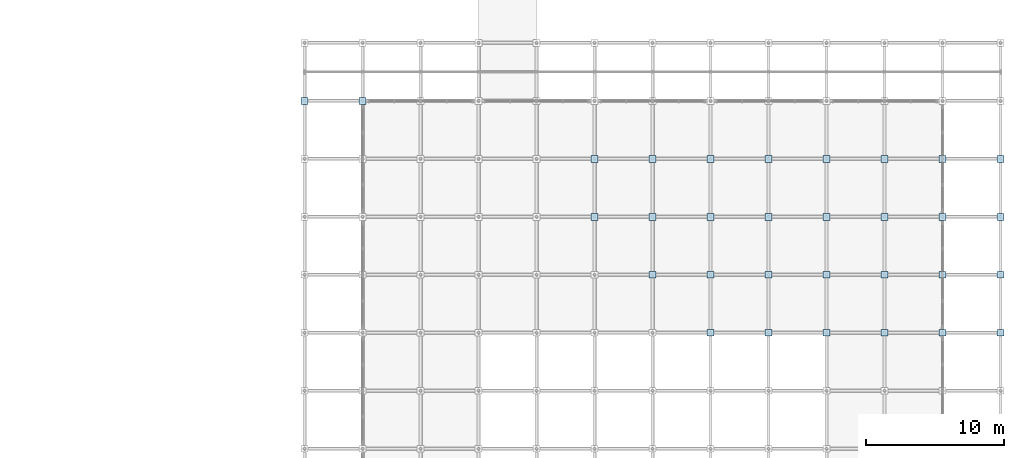
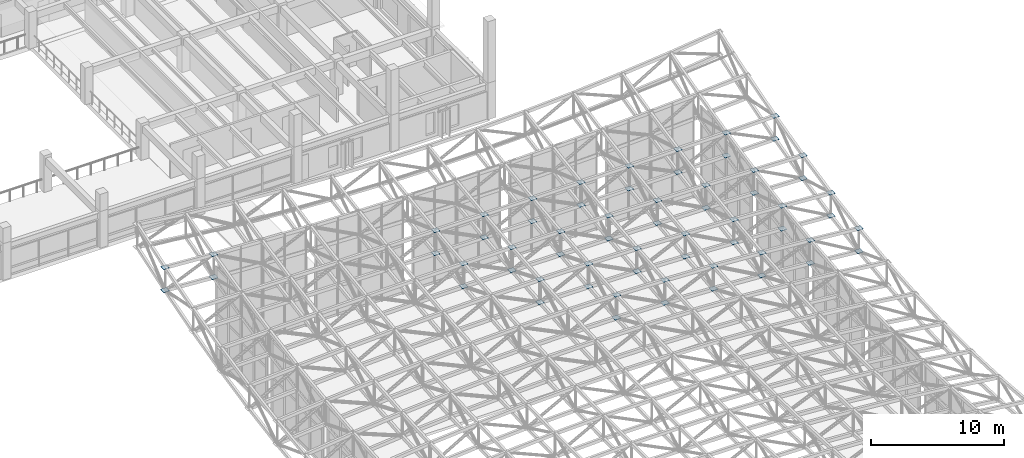
# One storey, part 78 of 123: 62 plates.
"""IFC4 building model written with IfcOpenShell, lengths in metres."""

from ifc_helpers import new_model, si_unit, direction, frame, origin, origin_2d, place, context, subcontext, project, spatial, rectangle, extrude, material, layer, layer_set, type_object, element, save


model = new_model("IFC4")

# Units and contexts
model_context = context("Model", 3, precision=1e-05, world=origin(), true_north=direction((0.0, 1.0)))
body_context = subcontext(model_context, "Body", "Model", "MODEL_VIEW")
ifc_project = project(units=[si_unit("LENGTHUNIT", "METRE"), si_unit("AREAUNIT", "SQUARE_METRE"), si_unit("VOLUMEUNIT", "CUBIC_METRE"), si_unit("PLANEANGLEUNIT", "RADIAN"), si_unit("MASSUNIT", "GRAM", prefix="KILO")], contexts=[model_context])

# Site, building, storey
site_placement = place(None, origin())
site = spatial("IfcSite", under=ifc_project, at=site_placement, CompositionType="ELEMENT")
building_placement = place(site_placement, origin())
building = spatial("IfcBuilding", under=site, at=building_placement, Name="Cumbredor Promenade Congress Hotel", CompositionType="ELEMENT")
storey_placement = place(building_placement, frame((0.0, 0.0, 11.760009765625)))
storey = spatial("IfcBuildingStorey", under=building, at=storey_placement, Name="L03", CompositionType="ELEMENT", Elevation=11.760009765625)

# Plates
ifc_material = material(Name="Steel ASTM A572 Grade 50", Category="steel")
ifc_layer = layer(ifc_material, 0.031982421875, Name="Steel ASTM A572 Grade 50", Category="steel")
ifc_layer_set = layer_set([ifc_layer], Name="Steel ASTM A572 Grade 50")
plate_type = type_object("IfcPlateType", Name="Space Frame Node Assembly ND-02", PredefinedType="USERDEFINED", material=ifc_layer_set)
for number, where, z_axis, x_axis, name in (
    (1, (138.60009765625, 67.199951171875, 9.58447265625), (0.0, 0.0, 1.0), (1.0, 0.0, 0.0), "Grand Ballroom Pavilion Space Frame Top Node 1.17"),
    (2, (138.60009765625, 67.199951171875, 7.484375), (0.0, 0.0, 1.0), (1.0, 0.0, 0.0), "Grand Ballroom Pavilion Space Frame Bottom Node 1.17"),
    (3, (142.800048828125, 67.199951171875, 9.30859375), (0.0, 0.0, 1.0), (1.0, 0.0, 0.0), "Grand Ballroom Pavilion Space Frame Top Node 2.17"),
    (4, (142.800048828125, 67.199951171875, 7.20849609375), (0.0, 0.0, 1.0), (1.0, 0.0, 0.0), "Grand Ballroom Pavilion Space Frame Bottom Node 2.17"),
    (5, (159.60009765625, 58.800048828125, 7.67529296875), (0.0, 0.0, 1.0), (1.0, 0.0, 0.0), "Grand Ballroom Pavilion Space Frame Top Node 6.15"),
    (6, (159.60009765625, 58.800048828125, 5.5751953125), (0.0, 0.0, 1.0), (1.0, 0.0, 0.0), "Grand Ballroom Pavilion Space Frame Bottom Node 6.15"),
    (7, (159.60009765625, 63.0, 8.15625), (0.0, 0.0, 1.0), (1.0, 0.0, 0.0), "Grand Ballroom Pavilion Space Frame Top Node 6.16"),
    (8, (159.60009765625, 63.0, 6.056640625), (0.0, 0.0, 1.0), (1.0, 0.0, 0.0), "Grand Ballroom Pavilion Space Frame Bottom Node 6.16"),
    (9, (163.800048828125, 54.60009765625, 7.2998046875), (0.0, 0.0, 1.0), (1.0, 0.0, 0.0), "Grand Ballroom Pavilion Space Frame Top Node 7.14"),
    (10, (163.800048828125, 54.60009765625, 5.19970703125), (0.0, 0.0, 1.0), (1.0, 0.0, 0.0), "Grand Ballroom Pavilion Space Frame Bottom Node 7.14"),
    (11, (163.800048828125, 58.800048828125, 7.6865234375), (0.0, 0.0, 1.0), (1.0, 0.0, 0.0), "Grand Ballroom Pavilion Space Frame Top Node 7.15"),
    (12, (163.800048828125, 58.800048828125, 5.5869140625), (0.0, 0.0, 1.0), (1.0, 0.0, 0.0), "Grand Ballroom Pavilion Space Frame Bottom Node 7.15"),
    (13, (163.800048828125, 63.0, 8.1513671875), (0.0, 0.0, 1.0), (1.0, 0.0, 0.0), "Grand Ballroom Pavilion Space Frame Top Node 7.16"),
    (14, (163.800048828125, 63.0, 6.05126953125), (0.0, 0.0, 1.0), (1.0, 0.0, 0.0), "Grand Ballroom Pavilion Space Frame Bottom Node 7.16"),
    (15, (168.0, 50.39990234375, 6.9541015625), (0.0, 0.0, 1.0), (1.0, 0.0, 0.0), "Grand Ballroom Pavilion Space Frame Top Node 8.13"),
    (16, (168.0, 50.39990234375, 4.85400390625), (0.0, 0.0, 1.0), (1.0, 0.0, 0.0), "Grand Ballroom Pavilion Space Frame Bottom Node 8.13"),
    (17, (168.0, 54.60009765625, 7.2744140625), (0.0, 0.0, 1.0), (1.0, 0.0, 0.0), "Grand Ballroom Pavilion Space Frame Top Node 8.14"),
    (18, (168.0, 54.60009765625, 5.1748046875), (0.0, 0.0, 1.0), (1.0, 0.0, 0.0), "Grand Ballroom Pavilion Space Frame Bottom Node 8.14"),
    (19, (168.0, 58.800048828125, 7.67529296875), (0.0, 0.0, 1.0), (1.0, 0.0, 0.0), "Grand Ballroom Pavilion Space Frame Top Node 8.15"),
    (20, (168.0, 58.800048828125, 5.5751953125), (0.0, 0.0, 1.0), (1.0, 0.0, 0.0), "Grand Ballroom Pavilion Space Frame Bottom Node 8.15"),
    (21, (168.0, 63.0, 8.15625), (0.0, 0.0, 1.0), (1.0, 0.0, 0.0), "Grand Ballroom Pavilion Space Frame Top Node 8.16"),
    (22, (168.0, 63.0, 6.056640625), (0.0, 0.0, 1.0), (1.0, 0.0, 0.0), "Grand Ballroom Pavilion Space Frame Bottom Node 8.16"),
    (23, (172.199951171875, 50.39990234375, 6.84619140625), (0.0, 0.0, 1.0), (1.0, 0.0, 0.0), "Grand Ballroom Pavilion Space Frame Top Node 9.13"),
    (24, (172.199951171875, 50.39990234375, 4.74609375), (0.0, 0.0, 1.0), (1.0, 0.0, 0.0), "Grand Ballroom Pavilion Space Frame Bottom Node 9.13"),
    (25, (172.199951171875, 54.60009765625, 7.19970703125), (0.0, 0.0, 1.0), (1.0, 0.0, 0.0), "Grand Ballroom Pavilion Space Frame Top Node 9.14"),
    (26, (172.199951171875, 54.60009765625, 5.099609375), (0.0, 0.0, 1.0), (1.0, 0.0, 0.0), "Grand Ballroom Pavilion Space Frame Bottom Node 9.14"),
    (27, (172.199951171875, 58.800048828125, 7.64208984375), (0.0, 0.0, 1.0), (1.0, 0.0, 0.0), "Grand Ballroom Pavilion Space Frame Top Node 9.15"),
    (28, (172.199951171875, 58.800048828125, 5.5419921875), (0.0, 0.0, 1.0), (1.0, 0.0, 0.0), "Grand Ballroom Pavilion Space Frame Bottom Node 9.15"),
    (29, (172.199951171875, 63.0, 8.17236328125), (0.0, 0.0, 1.0), (1.0, 0.0, 0.0), "Grand Ballroom Pavilion Space Frame Top Node 9.16"),
    (30, (172.199951171875, 63.0, 6.07275390625), (0.0, 0.0, 1.0), (1.0, 0.0, 0.0), "Grand Ballroom Pavilion Space Frame Bottom Node 9.16"),
    (31, (176.39990234375, 50.39990234375, 6.666015625), (0.0, 0.0, 1.0), (1.0, 0.0, 0.0), "Grand Ballroom Pavilion Space Frame Top Node 10.13"),
    (32, (176.39990234375, 50.39990234375, 4.56640625), (0.0, 0.0, 1.0), (1.0, 0.0, 0.0), "Grand Ballroom Pavilion Space Frame Bottom Node 10.13"),
    (33, (176.39990234375, 54.60009765625, 7.0751953125), (0.0, 0.0, 1.0), (1.0, 0.0, 0.0), "Grand Ballroom Pavilion Space Frame Top Node 10.14"),
    (34, (176.39990234375, 54.60009765625, 4.97509765625), (0.0, 0.0, 1.0), (1.0, 0.0, 0.0), "Grand Ballroom Pavilion Space Frame Bottom Node 10.14"),
    (35, (176.39990234375, 58.800048828125, 7.58642578125), (0.0, 0.0, 1.0), (1.0, 0.0, 0.0), "Grand Ballroom Pavilion Space Frame Top Node 10.15"),
    (36, (176.39990234375, 58.800048828125, 5.486328125), (0.0, 0.0, 1.0), (1.0, 0.0, 0.0), "Grand Ballroom Pavilion Space Frame Bottom Node 10.15"),
    (37, (176.39990234375, 63.0, 8.19970703125), (0.0, 0.0, 1.0), (1.0, 0.0, 0.0), "Grand Ballroom Pavilion Space Frame Top Node 10.16"),
    (38, (176.39990234375, 63.0, 6.099609375), (0.0, 0.0, 1.0), (1.0, 0.0, 0.0), "Grand Ballroom Pavilion Space Frame Bottom Node 10.16"),
    (39, (180.60009765625, 50.39990234375, 6.41455078125), (0.0, 0.0, 1.0), (1.0, 0.0, 0.0), "Grand Ballroom Pavilion Space Frame Top Node 11.13"),
    (40, (180.60009765625, 50.39990234375, 4.314453125), (0.0, 0.0, 1.0), (1.0, 0.0, 0.0), "Grand Ballroom Pavilion Space Frame Bottom Node 11.13"),
    (41, (180.60009765625, 54.60009765625, 6.90087890625), (0.0, 0.0, 1.0), (1.0, 0.0, 0.0), "Grand Ballroom Pavilion Space Frame Top Node 11.14"),
    (42, (180.60009765625, 54.60009765625, 4.80078125), (0.0, 0.0, 1.0), (1.0, 0.0, 0.0), "Grand Ballroom Pavilion Space Frame Bottom Node 11.14"),
    (43, (180.60009765625, 58.800048828125, 7.50830078125), (0.0, 0.0, 1.0), (1.0, 0.0, 0.0), "Grand Ballroom Pavilion Space Frame Top Node 11.15"),
    (44, (180.60009765625, 58.800048828125, 5.408203125), (0.0, 0.0, 1.0), (1.0, 0.0, 0.0), "Grand Ballroom Pavilion Space Frame Bottom Node 11.15"),
    (45, (180.60009765625, 63.0, 8.2373046875), (0.0, 0.0, 1.0), (1.0, 0.0, 0.0), "Grand Ballroom Pavilion Space Frame Top Node 11.16"),
    (46, (180.60009765625, 63.0, 6.13720703125), (0.0, 0.0, 1.0), (1.0, 0.0, 0.0), "Grand Ballroom Pavilion Space Frame Bottom Node 11.16"),
    (47, (184.800048828125, 50.39990234375, 6.0908203125), (0.0, 0.0, 1.0), (1.0, 0.0, 0.0), "Grand Ballroom Pavilion Space Frame Top Node 12.13"),
    (48, (184.800048828125, 50.39990234375, 3.99072265625), (0.0, 0.0, 1.0), (1.0, 0.0, 0.0), "Grand Ballroom Pavilion Space Frame Bottom Node 12.13"),
    (49, (184.800048828125, 54.60009765625, 6.67578125), (0.0, 0.0, 1.0), (1.0, 0.0, 0.0), "Grand Ballroom Pavilion Space Frame Top Node 12.14"),
    (50, (184.800048828125, 54.60009765625, 4.576171875), (0.0, 0.0, 1.0), (1.0, 0.0, 0.0), "Grand Ballroom Pavilion Space Frame Bottom Node 12.14"),
    (51, (184.800048828125, 58.800048828125, 7.40771484375), (0.0, 0.0, 1.0), (1.0, 0.0, 0.0), "Grand Ballroom Pavilion Space Frame Top Node 12.15"),
    (52, (184.800048828125, 58.800048828125, 5.3076171875), (0.0, 0.0, 1.0), (1.0, 0.0, 0.0), "Grand Ballroom Pavilion Space Frame Bottom Node 12.15"),
    (53, (184.800048828125, 63.0, 8.28515625), (0.0, 0.0, 1.0), (1.0, 0.0, 0.0), "Grand Ballroom Pavilion Space Frame Top Node 12.16"),
    (54, (184.800048828125, 63.0, 6.18505859375), (0.0, 0.0, 1.0), (1.0, 0.0, 0.0), "Grand Ballroom Pavilion Space Frame Bottom Node 12.16"),
    (55, (189.0, 50.39990234375, 5.6962890625), (0.0, 0.0, 1.0), (1.0, 0.0, 0.0), "Grand Ballroom Pavilion Space Frame Top Node 13.13"),
    (56, (189.0, 50.39990234375, 3.5966796875), (0.0, 0.0, 1.0), (1.0, 0.0, 0.0), "Grand Ballroom Pavilion Space Frame Bottom Node 13.13"),
    (57, (189.0, 54.60009765625, 6.40380859375), (0.0, 0.0, 1.0), (1.0, 0.0, 0.0), "Grand Ballroom Pavilion Space Frame Top Node 13.14"),
    (58, (189.0, 54.60009765625, 4.3037109375), (0.0, 0.0, 1.0), (1.0, 0.0, 0.0), "Grand Ballroom Pavilion Space Frame Bottom Node 13.14"),
    (59, (189.0, 58.800048828125, 7.28759765625), (0.0, 0.0, 1.0), (1.0, 0.0, 0.0), "Grand Ballroom Pavilion Space Frame Top Node 13.15"),
    (60, (189.0, 58.800048828125, 5.1875), (0.0, 0.0, 1.0), (1.0, 0.0, 0.0), "Grand Ballroom Pavilion Space Frame Bottom Node 13.15"),
    (61, (189.0, 63.0, 8.34765625), (0.0, 0.0, 1.0), (1.0, 0.0, 0.0), "Grand Ballroom Pavilion Space Frame Top Node 13.16"),
    (62, (189.0, 63.0, 6.248046875), (0.0, 0.0, 1.0), (1.0, 0.0, 0.0), "Grand Ballroom Pavilion Space Frame Bottom Node 13.16"),
):
    element("IfcPlate", number, at=place(storey_placement, frame(where, z_axis=z_axis, x_axis=x_axis)), inside=storey, type_object=plate_type, Name=name, ObjectType="GUSSET PLATE", PredefinedType="USERDEFINED", context=body_context, shape_type="SweptSolid", body=[
        extrude(rectangle(XDim=0.5, YDim=0.5, at=origin_2d()), origin(), (0.0, 0.0, 1.0), 0.031982421875),
    ])

save(model, "model.ifc")
